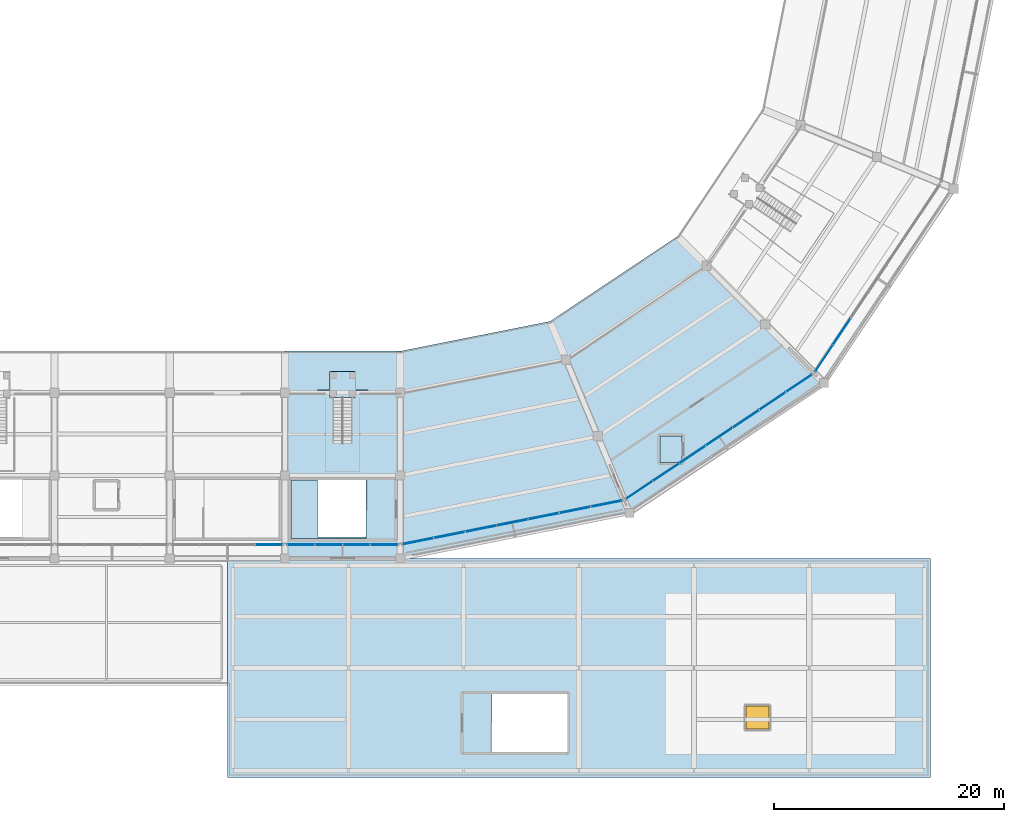
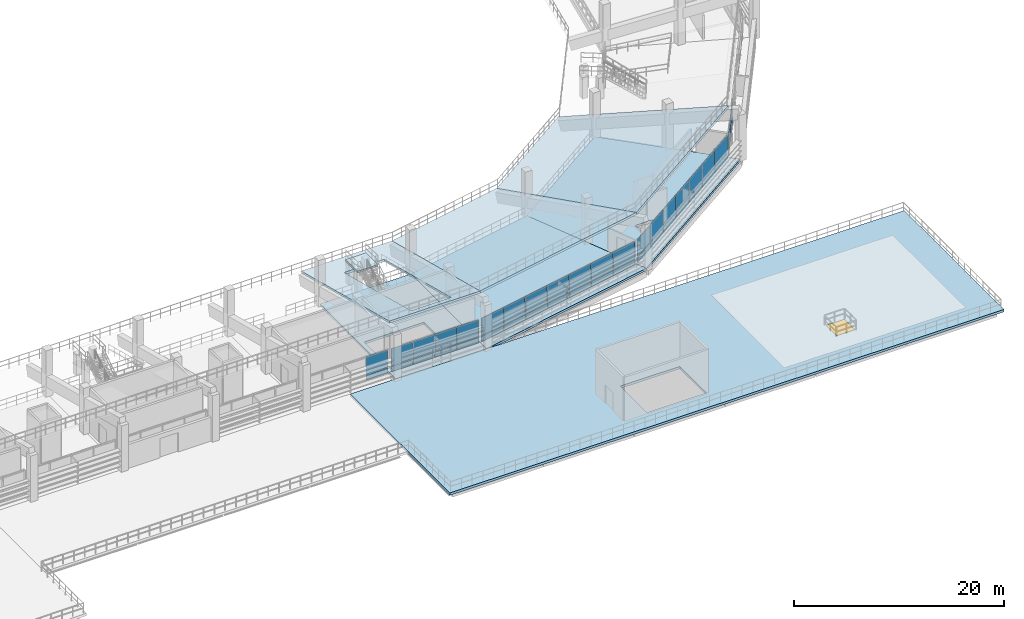
# One storey, part 53 of 96: 42 plates, 8 slabs, 1 window, 1 opening, 6 elements without a shape of their own.
"""IFC4 building model written with IfcOpenShell, lengths in metres."""

from ifc_helpers import new_model, si_unit, direction, frame, origin, origin_2d, place, context, subcontext, project, spatial, polyline, rectangle, outline, extrude, material, layer, layer_set, type_object, element, fill, aggregate, save


model = new_model("IFC4")

# Units and contexts
model_context = context("Model", 3, precision=1e-05, world=origin(), true_north=direction((0.0, 1.0)))
body_context = subcontext(model_context, "Body", "Model", "MODEL_VIEW")
ifc_project = project(units=[si_unit("LENGTHUNIT", "METRE"), si_unit("AREAUNIT", "SQUARE_METRE"), si_unit("VOLUMEUNIT", "CUBIC_METRE"), si_unit("PLANEANGLEUNIT", "RADIAN"), si_unit("MASSUNIT", "GRAM", prefix="KILO")], contexts=[model_context])

# Site, building, storey
site_placement = place(None, origin())
site = spatial("IfcSite", under=ifc_project, at=site_placement, CompositionType="ELEMENT")
building_placement = place(site_placement, origin())
building = spatial("IfcBuilding", under=site, at=building_placement, Name="Candeia Ridge Stadium", CompositionType="ELEMENT")
storey_placement = place(building_placement, frame((0.0, 0.0, 21.60009765625)))
storey = spatial("IfcBuildingStorey", under=building, at=storey_placement, Name="L04", CompositionType="ELEMENT", Elevation=21.60009765625)

# Slabs
ifc_material_1 = material(Name="Concrete C40/50", Category="concrete")
ifc_layer_1 = layer(ifc_material_1, 0.260009765625, Name="Concrete C40/50", Category="concrete")
ifc_layer_set_1 = layer_set([ifc_layer_1], Name="Concrete C40/50")
slab_type_1 = type_object("IfcSlabType", Name="Concourse Structural Slab 260", PredefinedType="FLOOR", material=ifc_layer_set_1)
slab_1_placement = place(storey_placement, frame((0.0, 0.0, -0.260009765625)))
element("IfcSlab", 1, at=slab_1_placement, inside=storey, type_object=slab_type_1, Name="Bowl concourse sector slab L04 bay 25 SLB-L04-0169", PredefinedType="FLOOR", context=body_context, shape_type="SweptSolid", body=[
    extrude(outline(polyline([(141.0, 33.39990234375), (141.0, 19.0), (131.0, 19.0), (131.0, 33.39990234375), (141.0, 33.39990234375)]), holes=[polyline([(138.04931640625, 25.800048828125), (131.5, 25.800048828125), (131.5, 20.75), (138.04931640625, 20.75), (138.04931640625, 25.800048828125)])]), origin(), (0.0, 0.0, 1.0), 0.260009765625),
])
slab_2_placement = place(storey_placement, frame((0.0, 0.0, -0.260009765625)))
element("IfcSlab", 2, at=slab_2_placement, inside=storey, type_object=slab_type_1, Name="Bowl concourse sector slab L04 bay 26 SLB-L04-0170", PredefinedType="FLOOR", context=body_context, shape_type="SweptSolid", body=[
    extrude(outline(polyline([(155.388916015625, 36.26220703125), (160.8994140625, 22.958251953125), (141.0, 19.0), (141.0, 33.39990234375), (155.388916015625, 36.26220703125)])), origin(), (0.0, 0.0, 1.0), 0.260009765625),
])
slab_3_placement = place(storey_placement, frame((0.0, 0.0, -0.260009765625)))
element("IfcSlab", 3, at=slab_3_placement, inside=storey, type_object=slab_type_1, Name="Bowl concourse sector slab L04 bay 27 SLB-L04-0171", PredefinedType="FLOOR", context=body_context, shape_type="SweptSolid", body=[
    extrude(outline(polyline([(167.553955078125, 44.390625), (177.736328125, 34.208251953125), (160.8994140625, 22.958251953125), (155.388916015625, 36.26220703125), (167.553955078125, 44.390625)]), holes=[polyline([(165.449951171875, 29.64990234375), (163.550048828125, 29.64990234375), (163.550048828125, 27.35009765625), (165.449951171875, 27.35009765625), (165.449951171875, 29.64990234375)])]), origin(), (0.0, 0.0, 1.0), 0.260009765625),
])

# Stair, slab
ifc_material_2 = material(Name="Precast concrete C45/55", Category="concrete")
stair_type = type_object("IfcStairType", Name="Spectator Vomitory Straight Stair 2200", PredefinedType="STRAIGHT_RUN_STAIR", material=ifc_material_2)
stair_placement = place(storey_placement, origin())
stair = element("IfcStair", 4, at=stair_placement, inside=storey, type_object=stair_type, Name="Vomitory stair VS33", PredefinedType="STRAIGHT_RUN_STAIR")
ifc_layer_2 = layer(ifc_material_1, 0.199951171875, Name="Concrete C40/50", Category="concrete")
ifc_layer_set_2 = layer_set([ifc_layer_2], Name="Concrete C40/50")
slab_type_2 = type_object("IfcSlabType", Name="Core Stair Landing Slab 200", PredefinedType="LANDING", material=ifc_layer_set_2)
slab_4_placement = place(storey_placement, frame((0.0, 0.0, 2.493896484375)))
slab_4 = element("IfcSlab", 5, at=slab_4_placement, type_object=slab_type_2, Name="VS33 landing 1", PredefinedType="LANDING", context=body_context, shape_type="SweptSolid", body=[
    extrude(outline(polyline([(134.8798828125, 32.967529296875), (134.8798828125, 35.218017578125), (137.1201171875, 35.218017578125), (137.1201171875, 32.967529296875), (134.8798828125, 32.967529296875)])), origin(), (0.0, 0.0, 1.0), 0.199951171875),
])
aggregate(stair, [slab_4])

# Curtain wall, plates
ifc_material_3 = material(Name="Aluminium Anodized Warm Bronze", Category="aluminium")
curtain_wall_type = type_object("IfcCurtainWallType", Name="Concourse Recessed Unitised Curtain Wall", PredefinedType="NOTDEFINED", material=ifc_material_3)
curtain_wall_1_placement = place(storey_placement, origin())
curtain_wall_1 = element("IfcCurtainWall", 6, at=curtain_wall_1_placement, inside=storey, type_object=curtain_wall_type, Name="Unitised curtain wall CW-BWL-L04-24", PredefinedType="NOTDEFINED")
ifc_material_4 = material(Name="Aluminium Insulated Spandrel", Category="aluminium")
ifc_layer_3 = layer(ifc_material_4, 0.06494140625, Name="Aluminium Insulated Spandrel", Category="aluminium")
ifc_layer_set_3 = layer_set([ifc_layer_3], Name="Aluminium Insulated Spandrel")
plate_type_1 = type_object("IfcPlateType", Name="Insulated Bronze Spandrel Panel SP1", PredefinedType="CURTAIN_PANEL", material=ifc_layer_set_3)
plate_1_placement = place(storey_placement, frame((132.385009765625, 20.199951171875, 0.0400390625), z_axis=(0.0, 0.0, 1.0), x_axis=(1.0, 0.0, 0.0)))
plate_1 = element("IfcPlate", 7, at=plate_1_placement, type_object=plate_type_1, Name="Curtain wall spandrel panel CW-BWL-L04-24-SP0", PredefinedType="CURTAIN_PANEL", context=body_context, shape_type="SweptSolid", body=[
    extrude(rectangle(XDim=2.340087890625, YDim=0.06494140625, at=origin_2d()), origin(), (0.0, 0.0, 1.0), 0.613037109375),
])
plate_2_placement = place(storey_placement, frame((134.794921875, 20.199951171875, 0.0400390625), z_axis=(0.0, 0.0, 1.0), x_axis=(1.0, 0.0, 0.0)))
plate_2 = element("IfcPlate", 8, at=plate_2_placement, type_object=plate_type_1, Name="Curtain wall spandrel panel CW-BWL-L04-24-SP1", PredefinedType="CURTAIN_PANEL", context=body_context, shape_type="SweptSolid", body=[
    extrude(rectangle(XDim=2.340087890625, YDim=0.06494140625, at=origin_2d()), origin(), (0.0, 0.0, 1.0), 0.613037109375),
])
plate_3_placement = place(storey_placement, frame((137.205078125, 20.199951171875, 0.0400390625), z_axis=(0.0, 0.0, 1.0), x_axis=(1.0, 0.0, 0.0)))
plate_3 = element("IfcPlate", 9, at=plate_3_placement, type_object=plate_type_1, Name="Curtain wall spandrel panel CW-BWL-L04-24-SP2", PredefinedType="CURTAIN_PANEL", context=body_context, shape_type="SweptSolid", body=[
    extrude(rectangle(XDim=2.340087890625, YDim=0.06494140625, at=origin_2d()), origin(), (0.0, 0.0, 1.0), 0.613037109375),
])
plate_4_placement = place(storey_placement, frame((139.614990234375, 20.199951171875, 0.0400390625), z_axis=(0.0, 0.0, 1.0), x_axis=(1.0, 0.0, 0.0)))
plate_4 = element("IfcPlate", 10, at=plate_4_placement, type_object=plate_type_1, Name="Curtain wall spandrel panel CW-BWL-L04-24-SP3", PredefinedType="CURTAIN_PANEL", context=body_context, shape_type="SweptSolid", body=[
    extrude(rectangle(XDim=2.340087890625, YDim=0.06494140625, at=origin_2d()), origin(), (0.0, 0.0, 1.0), 0.613037109375),
])

curtain_wall_2_placement = place(storey_placement, origin())
curtain_wall_2 = element("IfcCurtainWall", 11, at=curtain_wall_2_placement, inside=storey, type_object=curtain_wall_type, Name="Unitised curtain wall CW-BWL-L04-25", PredefinedType="NOTDEFINED")
ifc_layer_4 = layer(ifc_material_4, 0.06494140625, Name="Aluminium Insulated Spandrel", Category="aluminium")
ifc_layer_set_4 = layer_set([ifc_layer_4], Name="Aluminium Insulated Spandrel")
plate_type_2 = type_object("IfcPlateType", Name="Insulated Bronze Spandrel Panel SP2", PredefinedType="CURTAIN_PANEL", material=ifc_layer_set_4)
plate_5_placement = place(storey_placement, frame((142.539794921875, 20.50634765625, 0.0400390625), z_axis=(0.0, 0.0, 1.0), x_axis=(0.980785280696, 0.195090320544, 0.0)))
plate_5 = element("IfcPlate", 12, at=plate_5_placement, type_object=plate_type_2, Name="Curtain wall spandrel panel CW-BWL-L04-25-SP0", PredefinedType="CURTAIN_PANEL", context=body_context, shape_type="SweptSolid", body=[
    extrude(rectangle(XDim=2.710205078125, YDim=0.06494140625, at=origin_2d()), origin(), (0.0, 0.0, 1.0), 0.613037109375),
])
plate_6_placement = place(storey_placement, frame((145.2666015625, 21.048583984375, 0.0400390625), z_axis=(0.0, 0.0, 1.0), x_axis=(0.980785280696, 0.195090320544, 0.0)))
plate_6 = element("IfcPlate", 13, at=plate_6_placement, type_object=plate_type_2, Name="Curtain wall spandrel panel CW-BWL-L04-25-SP1", PredefinedType="CURTAIN_PANEL", context=body_context, shape_type="SweptSolid", body=[
    extrude(rectangle(XDim=2.710205078125, YDim=0.06494140625, at=origin_2d()), origin(), (0.0, 0.0, 1.0), 0.613037109375),
])
plate_7_placement = place(storey_placement, frame((147.993408203125, 21.591064453125, 0.0400390625), z_axis=(0.0, 0.0, 1.0), x_axis=(0.980785280696, 0.195090320544, 0.0)))
plate_7 = element("IfcPlate", 14, at=plate_7_placement, type_object=plate_type_2, Name="Curtain wall spandrel panel CW-BWL-L04-25-SP2", PredefinedType="CURTAIN_PANEL", context=body_context, shape_type="SweptSolid", body=[
    extrude(rectangle(XDim=2.710205078125, YDim=0.06494140625, at=origin_2d()), origin(), (0.0, 0.0, 1.0), 0.613037109375),
])
plate_8_placement = place(storey_placement, frame((150.72021484375, 22.13330078125, 0.0400390625), z_axis=(0.0, 0.0, 1.0), x_axis=(0.980785280696, 0.195090320544, 0.0)))
plate_8 = element("IfcPlate", 15, at=plate_8_placement, type_object=plate_type_2, Name="Curtain wall spandrel panel CW-BWL-L04-25-SP3", PredefinedType="CURTAIN_PANEL", context=body_context, shape_type="SweptSolid", body=[
    extrude(rectangle(XDim=2.710205078125, YDim=0.06494140625, at=origin_2d()), origin(), (0.0, 0.0, 1.0), 0.613037109375),
])
plate_9_placement = place(storey_placement, frame((153.447021484375, 22.67578125, 0.0400390625), z_axis=(0.0, 0.0, 1.0), x_axis=(0.980785280696, 0.195090320544, 0.0)))
plate_9 = element("IfcPlate", 16, at=plate_9_placement, type_object=plate_type_2, Name="Curtain wall spandrel panel CW-BWL-L04-25-SP4", PredefinedType="CURTAIN_PANEL", context=body_context, shape_type="SweptSolid", body=[
    extrude(rectangle(XDim=2.710205078125, YDim=0.06494140625, at=origin_2d()), origin(), (0.0, 0.0, 1.0), 0.613037109375),
])
plate_10_placement = place(storey_placement, frame((156.173583984375, 23.21826171875, 0.0400390625), z_axis=(0.0, 0.0, 1.0), x_axis=(0.980785280696, 0.195090320544, 0.0)))
plate_10 = element("IfcPlate", 17, at=plate_10_placement, type_object=plate_type_2, Name="Curtain wall spandrel panel CW-BWL-L04-25-SP5", PredefinedType="CURTAIN_PANEL", context=body_context, shape_type="SweptSolid", body=[
    extrude(rectangle(XDim=2.710205078125, YDim=0.06494140625, at=origin_2d()), origin(), (0.0, 0.0, 1.0), 0.613037109375),
])
plate_11_placement = place(storey_placement, frame((158.900390625, 23.760498046875, 0.0400390625), z_axis=(0.0, 0.0, 1.0), x_axis=(0.980785280696, 0.195090320544, 0.0)))
plate_11 = element("IfcPlate", 18, at=plate_11_placement, type_object=plate_type_2, Name="Curtain wall spandrel panel CW-BWL-L04-25-SP6", PredefinedType="CURTAIN_PANEL", context=body_context, shape_type="SweptSolid", body=[
    extrude(rectangle(XDim=2.710205078125, YDim=0.06494140625, at=origin_2d()), origin(), (0.0, 0.0, 1.0), 0.613037109375),
])

curtain_wall_3_placement = place(storey_placement, origin())
curtain_wall_3 = element("IfcCurtainWall", 19, at=curtain_wall_3_placement, inside=storey, type_object=curtain_wall_type, Name="Unitised curtain wall CW-BWL-L04-26", PredefinedType="NOTDEFINED")
ifc_layer_5 = layer(ifc_material_4, 0.06494140625, Name="Aluminium Insulated Spandrel", Category="aluminium")
ifc_layer_set_5 = layer_set([ifc_layer_5], Name="Aluminium Insulated Spandrel")
plate_type_3 = type_object("IfcPlateType", Name="Insulated Bronze Spandrel Panel SP4", PredefinedType="CURTAIN_PANEL", material=ifc_layer_set_5)
plate_12_placement = place(storey_placement, frame((161.745849609375, 24.939208984375, 0.0400390625), z_axis=(0.0, 0.0, 1.0), x_axis=(0.831468800789, 0.555571447533, 0.0)))
plate_12 = element("IfcPlate", 20, at=plate_12_placement, type_object=plate_type_3, Name="Curtain wall spandrel panel CW-BWL-L04-26-SP0", PredefinedType="CURTAIN_PANEL", context=body_context, shape_type="SweptSolid", body=[
    extrude(rectangle(XDim=2.710205078125, YDim=0.06494140625, at=origin_2d()), origin(), (0.0, 0.0, 1.0), 0.613037109375),
])
plate_13_placement = place(storey_placement, frame((164.057373046875, 26.48388671875, 0.0400390625), z_axis=(0.0, 0.0, 1.0), x_axis=(0.831468800789, 0.555571447533, 0.0)))
plate_13 = element("IfcPlate", 21, at=plate_13_placement, type_object=plate_type_3, Name="Curtain wall spandrel panel CW-BWL-L04-26-SP1", PredefinedType="CURTAIN_PANEL", context=body_context, shape_type="SweptSolid", body=[
    extrude(rectangle(XDim=2.710205078125, YDim=0.06494140625, at=origin_2d()), origin(), (0.0, 0.0, 1.0), 0.613037109375),
])
plate_14_placement = place(storey_placement, frame((166.369140625, 28.0283203125, 0.0400390625), z_axis=(0.0, 0.0, 1.0), x_axis=(0.831468800789, 0.555571447533, 0.0)))
plate_14 = element("IfcPlate", 22, at=plate_14_placement, type_object=plate_type_3, Name="Curtain wall spandrel panel CW-BWL-L04-26-SP2", PredefinedType="CURTAIN_PANEL", context=body_context, shape_type="SweptSolid", body=[
    extrude(rectangle(XDim=2.710205078125, YDim=0.06494140625, at=origin_2d()), origin(), (0.0, 0.0, 1.0), 0.613037109375),
])
plate_15_placement = place(storey_placement, frame((168.6806640625, 29.572998046875, 0.0400390625), z_axis=(0.0, 0.0, 1.0), x_axis=(0.831468800789, 0.555571447533, 0.0)))
plate_15 = element("IfcPlate", 23, at=plate_15_placement, type_object=plate_type_3, Name="Curtain wall spandrel panel CW-BWL-L04-26-SP3", PredefinedType="CURTAIN_PANEL", context=body_context, shape_type="SweptSolid", body=[
    extrude(rectangle(XDim=2.710205078125, YDim=0.06494140625, at=origin_2d()), origin(), (0.0, 0.0, 1.0), 0.613037109375),
])
plate_16_placement = place(storey_placement, frame((170.9921875, 31.117431640625, 0.0400390625), z_axis=(0.0, 0.0, 1.0), x_axis=(0.831468800789, 0.555571447533, 0.0)))
plate_16 = element("IfcPlate", 24, at=plate_16_placement, type_object=plate_type_3, Name="Curtain wall spandrel panel CW-BWL-L04-26-SP4", PredefinedType="CURTAIN_PANEL", context=body_context, shape_type="SweptSolid", body=[
    extrude(rectangle(XDim=2.710205078125, YDim=0.06494140625, at=origin_2d()), origin(), (0.0, 0.0, 1.0), 0.613037109375),
])
plate_17_placement = place(storey_placement, frame((173.303955078125, 32.662109375, 0.0400390625), z_axis=(0.0, 0.0, 1.0), x_axis=(0.831468800789, 0.555571447533, 0.0)))
plate_17 = element("IfcPlate", 25, at=plate_17_placement, type_object=plate_type_3, Name="Curtain wall spandrel panel CW-BWL-L04-26-SP5", PredefinedType="CURTAIN_PANEL", context=body_context, shape_type="SweptSolid", body=[
    extrude(rectangle(XDim=2.710205078125, YDim=0.06494140625, at=origin_2d()), origin(), (0.0, 0.0, 1.0), 0.613037109375),
])
plate_18_placement = place(storey_placement, frame((175.615478515625, 34.206787109375, 0.0400390625), z_axis=(0.0, 0.0, 1.0), x_axis=(0.831468800789, 0.555571447533, 0.0)))
plate_18 = element("IfcPlate", 26, at=plate_18_placement, type_object=plate_type_3, Name="Curtain wall spandrel panel CW-BWL-L04-26-SP6", PredefinedType="CURTAIN_PANEL", context=body_context, shape_type="SweptSolid", body=[
    extrude(rectangle(XDim=2.710205078125, YDim=0.06494140625, at=origin_2d()), origin(), (0.0, 0.0, 1.0), 0.613037109375),
])

# Curtain wall, plate
curtain_wall_4_placement = place(storey_placement, origin())
curtain_wall_4 = element("IfcCurtainWall", 27, at=curtain_wall_4_placement, inside=storey, type_object=curtain_wall_type, Name="Unitised curtain wall CW-BWL-L04-23", PredefinedType="NOTDEFINED")
ifc_layer_6 = layer(ifc_material_4, 0.06494140625, Name="Aluminium Insulated Spandrel", Category="aluminium")
ifc_layer_set_6 = layer_set([ifc_layer_6], Name="Aluminium Insulated Spandrel")
plate_type_4 = type_object("IfcPlateType", Name="Insulated Bronze Spandrel Panel SP5", PredefinedType="CURTAIN_PANEL", material=ifc_layer_set_6)
plate_19_placement = place(storey_placement, frame((129.614990234375, 20.199951171875, 0.0400390625), z_axis=(0.0, 0.0, 1.0), x_axis=(1.0, 0.0, 0.0)))
plate_19 = element("IfcPlate", 28, at=plate_19_placement, type_object=plate_type_4, Name="Curtain wall spandrel panel CW-BWL-L04-23-SP3", PredefinedType="CURTAIN_PANEL", context=body_context, shape_type="SweptSolid", body=[
    extrude(rectangle(XDim=2.340087890625, YDim=0.06494140625, at=origin_2d()), origin(), (0.0, 0.0, 1.0), 0.613037109375),
])

# Curtain wall, plates
curtain_wall_5_placement = place(storey_placement, origin())
curtain_wall_5 = element("IfcCurtainWall", 29, at=curtain_wall_5_placement, inside=storey, type_object=curtain_wall_type, Name="Unitised curtain wall CW-BWL-L04-27", PredefinedType="NOTDEFINED")
plate_20_placement = place(storey_placement, frame((177.793212890625, 36.384521484375, 0.0400390625), z_axis=(0.0, 0.0, 1.0), x_axis=(0.555571447533, 0.831468800789, 0.0)))
plate_20 = element("IfcPlate", 30, at=plate_20_placement, type_object=plate_type_4, Name="Curtain wall spandrel panel CW-BWL-L04-27-SP0", PredefinedType="CURTAIN_PANEL", context=body_context, shape_type="SweptSolid", body=[
    extrude(rectangle(XDim=2.710205078125, YDim=0.06494140625, at=origin_2d()), origin(), (0.0, 0.0, 1.0), 0.613037109375),
])
plate_21_placement = place(storey_placement, frame((179.337890625, 38.696044921875, 0.0400390625), z_axis=(0.0, 0.0, 1.0), x_axis=(0.555571447533, 0.831468800789, 0.0)))
plate_21 = element("IfcPlate", 31, at=plate_21_placement, type_object=plate_type_4, Name="Curtain wall spandrel panel CW-BWL-L04-27-SP1", PredefinedType="CURTAIN_PANEL", context=body_context, shape_type="SweptSolid", body=[
    extrude(rectangle(XDim=2.710205078125, YDim=0.06494140625, at=origin_2d()), origin(), (0.0, 0.0, 1.0), 0.613037109375),
])

# Slab, opening, window
ifc_layer_7 = layer(ifc_material_1, 0.280029296875, Name="Concrete C40/50", Category="concrete")
ifc_layer_set_7 = layer_set([ifc_layer_7], Name="Concrete C40/50")
slab_type_3 = type_object("IfcSlabType", Name="Planted Roof Garden Deck 280", PredefinedType="ROOF", material=ifc_layer_set_7)
slab_5_placement = place(storey_placement, frame((0.0, 0.0, -0.280029296875)))
slab_5 = element("IfcSlab", 32, at=slab_5_placement, inside=storey, type_object=slab_type_3, Name="Planted roof garden slab SLB-L04-0304", PredefinedType="ROOF", context=body_context, shape_type="SweptSolid", body=[
    extrude(outline(polyline([(126.0, 0.0), (126.0, 19.0), (187.0, 19.0), (187.0, 0.0), (126.0, 0.0)]), holes=[polyline([(148.95068359375, 2.199951171875), (155.5, 2.199951171875), (155.5, 7.25), (148.95068359375, 7.25), (148.95068359375, 2.199951171875)])]), origin(), (0.0, 0.0, 1.0), 0.280029296875),
])
opening_placement = place(slab_5_placement, frame((172.0, 5.199951171875, -0.010009765625)))
opening = element("IfcOpeningElement", 33, at=opening_placement, cuts=slab_5, Name="Opening SK2", PredefinedType="OPENING", context=body_context, shape_type="SweptSolid", body=[
    extrude(rectangle(XDim=2.0, YDim=2.0, at=origin_2d()), origin(), (0.0, 0.0, 1.0), 0.300048828125),
])
ifc_material_5 = material(Name="Tempered Solar-Control Double Glazing", Category="glass")
window_type = type_object("IfcWindowType", Name="Museum Gallery Roof Skylight 2000x2000", PartitioningType="SINGLE_PANEL", PredefinedType="SKYLIGHT", material=ifc_material_5)
window_placement = place(slab_5_placement, frame((172.0, 5.199951171875, 0.22998046875)))
window = element("IfcWindow", 34, at=window_placement, inside=storey, type_object=window_type, Name="Roof daylight skylight SKY-06", OverallHeight=2.0, OverallWidth=2.0, PartitioningType="SINGLE_PANEL", PredefinedType="SKYLIGHT", context=body_context, shape_type="SweptSolid", body=[
    extrude(rectangle(XDim=2.0, YDim=2.0, at=origin_2d()), origin(), (0.0, 0.0, 1.0), 0.050048828125),
])
fill(opening, window)

# Plate
ifc_material_6 = material(Name="Tempered Low-E Double Glazing", Category="glass")
ifc_layer_8 = layer(ifc_material_6, 0.035888671875, Name="Tempered Low-E Double Glazing", Category="glass")
ifc_layer_set_8 = layer_set([ifc_layer_8], Name="Tempered Low-E Double Glazing")
plate_type_5 = type_object("IfcPlateType", Name="Solar Control Vision Glass Panel GP1", PredefinedType="CURTAIN_PANEL", material=ifc_layer_set_8)
plate_22_placement = place(storey_placement, frame((161.745849609375, 24.939208984375, 0.733154296875), z_axis=(0.0, 0.0, 1.0), x_axis=(0.831468800789, 0.555571447533, 0.0)))
plate_22 = element("IfcPlate", 35, at=plate_22_placement, type_object=plate_type_5, Name="Curtain wall vision glass panel CW-BWL-L04-26-GP0", PredefinedType="CURTAIN_PANEL", context=body_context, shape_type="SweptSolid", body=[
    extrude(rectangle(XDim=2.710205078125, YDim=0.035888671875, at=origin_2d()), origin(), (0.0, 0.0, 1.0), 1.9990234375),
])

plate_23_placement = place(storey_placement, frame((164.057373046875, 26.48388671875, 0.733154296875), z_axis=(0.0, 0.0, 1.0), x_axis=(0.831468800789, 0.555571447533, 0.0)))
plate_23 = element("IfcPlate", 36, at=plate_23_placement, type_object=plate_type_5, Name="Curtain wall vision glass panel CW-BWL-L04-26-GP1", PredefinedType="CURTAIN_PANEL", context=body_context, shape_type="SweptSolid", body=[
    extrude(rectangle(XDim=2.710205078125, YDim=0.035888671875, at=origin_2d()), origin(), (0.0, 0.0, 1.0), 1.9990234375),
])

plate_24_placement = place(storey_placement, frame((166.369140625, 28.0283203125, 0.733154296875), z_axis=(0.0, 0.0, 1.0), x_axis=(0.831468800789, 0.555571447533, 0.0)))
plate_24 = element("IfcPlate", 37, at=plate_24_placement, type_object=plate_type_5, Name="Curtain wall vision glass panel CW-BWL-L04-26-GP2", PredefinedType="CURTAIN_PANEL", context=body_context, shape_type="SweptSolid", body=[
    extrude(rectangle(XDim=2.710205078125, YDim=0.035888671875, at=origin_2d()), origin(), (0.0, 0.0, 1.0), 1.9990234375),
])

plate_25_placement = place(storey_placement, frame((168.6806640625, 29.572998046875, 0.733154296875), z_axis=(0.0, 0.0, 1.0), x_axis=(0.831468800789, 0.555571447533, 0.0)))
plate_25 = element("IfcPlate", 38, at=plate_25_placement, type_object=plate_type_5, Name="Curtain wall vision glass panel CW-BWL-L04-26-GP3", PredefinedType="CURTAIN_PANEL", context=body_context, shape_type="SweptSolid", body=[
    extrude(rectangle(XDim=2.710205078125, YDim=0.035888671875, at=origin_2d()), origin(), (0.0, 0.0, 1.0), 1.9990234375),
])

plate_26_placement = place(storey_placement, frame((170.9921875, 31.117431640625, 0.733154296875), z_axis=(0.0, 0.0, 1.0), x_axis=(0.831468800789, 0.555571447533, 0.0)))
plate_26 = element("IfcPlate", 39, at=plate_26_placement, type_object=plate_type_5, Name="Curtain wall vision glass panel CW-BWL-L04-26-GP4", PredefinedType="CURTAIN_PANEL", context=body_context, shape_type="SweptSolid", body=[
    extrude(rectangle(XDim=2.710205078125, YDim=0.035888671875, at=origin_2d()), origin(), (0.0, 0.0, 1.0), 1.9990234375),
])

plate_27_placement = place(storey_placement, frame((173.303955078125, 32.662109375, 0.733154296875), z_axis=(0.0, 0.0, 1.0), x_axis=(0.831468800789, 0.555571447533, 0.0)))
plate_27 = element("IfcPlate", 40, at=plate_27_placement, type_object=plate_type_5, Name="Curtain wall vision glass panel CW-BWL-L04-26-GP5", PredefinedType="CURTAIN_PANEL", context=body_context, shape_type="SweptSolid", body=[
    extrude(rectangle(XDim=2.710205078125, YDim=0.035888671875, at=origin_2d()), origin(), (0.0, 0.0, 1.0), 1.9990234375),
])

plate_28_placement = place(storey_placement, frame((175.615478515625, 34.206787109375, 0.733154296875), z_axis=(0.0, 0.0, 1.0), x_axis=(0.831468800789, 0.555571447533, 0.0)))
plate_28 = element("IfcPlate", 41, at=plate_28_placement, type_object=plate_type_5, Name="Curtain wall vision glass panel CW-BWL-L04-26-GP6", PredefinedType="CURTAIN_PANEL", context=body_context, shape_type="SweptSolid", body=[
    extrude(rectangle(XDim=2.710205078125, YDim=0.035888671875, at=origin_2d()), origin(), (0.0, 0.0, 1.0), 1.9990234375),
])

aggregate(curtain_wall_3, [plate_12, plate_22, plate_13, plate_23, plate_14, plate_24, plate_15, plate_25, plate_16, plate_26, plate_17, plate_27, plate_18, plate_28])

ifc_layer_9 = layer(ifc_material_6, 0.035888671875, Name="Tempered Low-E Double Glazing", Category="glass")
ifc_layer_set_9 = layer_set([ifc_layer_9], Name="Tempered Low-E Double Glazing")
plate_type_6 = type_object("IfcPlateType", Name="Solar Control Vision Glass Panel GP2", PredefinedType="CURTAIN_PANEL", material=ifc_layer_set_9)
plate_29_placement = place(storey_placement, frame((177.793212890625, 36.384521484375, 0.733154296875), z_axis=(0.0, 0.0, 1.0), x_axis=(0.555571447533, 0.831468800789, 0.0)))
plate_29 = element("IfcPlate", 42, at=plate_29_placement, type_object=plate_type_6, Name="Curtain wall vision glass panel CW-BWL-L04-27-GP0", PredefinedType="CURTAIN_PANEL", context=body_context, shape_type="SweptSolid", body=[
    extrude(rectangle(XDim=2.710205078125, YDim=0.035888671875, at=origin_2d()), origin(), (0.0, 0.0, 1.0), 1.9990234375),
])

plate_30_placement = place(storey_placement, frame((179.337890625, 38.696044921875, 0.733154296875), z_axis=(0.0, 0.0, 1.0), x_axis=(0.555571447533, 0.831468800789, 0.0)))
plate_30 = element("IfcPlate", 43, at=plate_30_placement, type_object=plate_type_6, Name="Curtain wall vision glass panel CW-BWL-L04-27-GP1", PredefinedType="CURTAIN_PANEL", context=body_context, shape_type="SweptSolid", body=[
    extrude(rectangle(XDim=2.710205078125, YDim=0.035888671875, at=origin_2d()), origin(), (0.0, 0.0, 1.0), 1.9990234375),
])

aggregate(curtain_wall_5, [plate_20, plate_29, plate_21, plate_30])

ifc_layer_10 = layer(ifc_material_6, 0.035888671875, Name="Tempered Low-E Double Glazing", Category="glass")
ifc_layer_set_10 = layer_set([ifc_layer_10], Name="Tempered Low-E Double Glazing")
plate_type_7 = type_object("IfcPlateType", Name="Solar Control Vision Glass Panel GP6", PredefinedType="CURTAIN_PANEL", material=ifc_layer_set_10)
plate_31_placement = place(storey_placement, frame((129.614990234375, 20.199951171875, 0.733154296875), z_axis=(0.0, 0.0, 1.0), x_axis=(1.0, 0.0, 0.0)))
plate_31 = element("IfcPlate", 44, at=plate_31_placement, type_object=plate_type_7, Name="Curtain wall vision glass panel CW-BWL-L04-23-GP3", PredefinedType="CURTAIN_PANEL", context=body_context, shape_type="SweptSolid", body=[
    extrude(rectangle(XDim=2.340087890625, YDim=0.035888671875, at=origin_2d()), origin(), (0.0, 0.0, 1.0), 1.9990234375),
])

aggregate(curtain_wall_4, [plate_19, plate_31])

ifc_layer_11 = layer(ifc_material_6, 0.035888671875, Name="Tempered Low-E Double Glazing", Category="glass")
ifc_layer_set_11 = layer_set([ifc_layer_11], Name="Tempered Low-E Double Glazing")
plate_type_8 = type_object("IfcPlateType", Name="Solar Control Vision Glass Panel GP7", PredefinedType="CURTAIN_PANEL", material=ifc_layer_set_11)
plate_32_placement = place(storey_placement, frame((132.385009765625, 20.199951171875, 0.733154296875), z_axis=(0.0, 0.0, 1.0), x_axis=(1.0, 0.0, 0.0)))
plate_32 = element("IfcPlate", 45, at=plate_32_placement, type_object=plate_type_8, Name="Curtain wall vision glass panel CW-BWL-L04-24-GP0", PredefinedType="CURTAIN_PANEL", context=body_context, shape_type="SweptSolid", body=[
    extrude(rectangle(XDim=2.340087890625, YDim=0.035888671875, at=origin_2d()), origin(), (0.0, 0.0, 1.0), 1.9990234375),
])

plate_33_placement = place(storey_placement, frame((134.794921875, 20.199951171875, 0.733154296875), z_axis=(0.0, 0.0, 1.0), x_axis=(1.0, 0.0, 0.0)))
plate_33 = element("IfcPlate", 46, at=plate_33_placement, type_object=plate_type_8, Name="Curtain wall vision glass panel CW-BWL-L04-24-GP1", PredefinedType="CURTAIN_PANEL", context=body_context, shape_type="SweptSolid", body=[
    extrude(rectangle(XDim=2.340087890625, YDim=0.035888671875, at=origin_2d()), origin(), (0.0, 0.0, 1.0), 1.9990234375),
])

plate_34_placement = place(storey_placement, frame((137.205078125, 20.199951171875, 0.733154296875), z_axis=(0.0, 0.0, 1.0), x_axis=(1.0, 0.0, 0.0)))
plate_34 = element("IfcPlate", 47, at=plate_34_placement, type_object=plate_type_8, Name="Curtain wall vision glass panel CW-BWL-L04-24-GP2", PredefinedType="CURTAIN_PANEL", context=body_context, shape_type="SweptSolid", body=[
    extrude(rectangle(XDim=2.340087890625, YDim=0.035888671875, at=origin_2d()), origin(), (0.0, 0.0, 1.0), 1.9990234375),
])

plate_35_placement = place(storey_placement, frame((139.614990234375, 20.199951171875, 0.733154296875), z_axis=(0.0, 0.0, 1.0), x_axis=(1.0, 0.0, 0.0)))
plate_35 = element("IfcPlate", 48, at=plate_35_placement, type_object=plate_type_8, Name="Curtain wall vision glass panel CW-BWL-L04-24-GP3", PredefinedType="CURTAIN_PANEL", context=body_context, shape_type="SweptSolid", body=[
    extrude(rectangle(XDim=2.340087890625, YDim=0.035888671875, at=origin_2d()), origin(), (0.0, 0.0, 1.0), 1.9990234375),
])

aggregate(curtain_wall_1, [plate_1, plate_32, plate_2, plate_33, plate_3, plate_34, plate_4, plate_35])

ifc_layer_12 = layer(ifc_material_6, 0.035888671875, Name="Tempered Low-E Double Glazing", Category="glass")
ifc_layer_set_12 = layer_set([ifc_layer_12], Name="Tempered Low-E Double Glazing")
plate_type_9 = type_object("IfcPlateType", Name="Solar Control Vision Glass Panel GP8", PredefinedType="CURTAIN_PANEL", material=ifc_layer_set_12)
plate_36_placement = place(storey_placement, frame((142.539794921875, 20.50634765625, 0.733154296875), z_axis=(0.0, 0.0, 1.0), x_axis=(0.980785280696, 0.195090320544, 0.0)))
plate_36 = element("IfcPlate", 49, at=plate_36_placement, type_object=plate_type_9, Name="Curtain wall vision glass panel CW-BWL-L04-25-GP0", PredefinedType="CURTAIN_PANEL", context=body_context, shape_type="SweptSolid", body=[
    extrude(rectangle(XDim=2.710205078125, YDim=0.035888671875, at=origin_2d()), origin(), (0.0, 0.0, 1.0), 1.9990234375),
])

plate_37_placement = place(storey_placement, frame((145.2666015625, 21.048583984375, 0.733154296875), z_axis=(0.0, 0.0, 1.0), x_axis=(0.980785280696, 0.195090320544, 0.0)))
plate_37 = element("IfcPlate", 50, at=plate_37_placement, type_object=plate_type_9, Name="Curtain wall vision glass panel CW-BWL-L04-25-GP1", PredefinedType="CURTAIN_PANEL", context=body_context, shape_type="SweptSolid", body=[
    extrude(rectangle(XDim=2.710205078125, YDim=0.035888671875, at=origin_2d()), origin(), (0.0, 0.0, 1.0), 1.9990234375),
])

plate_38_placement = place(storey_placement, frame((147.993408203125, 21.591064453125, 0.733154296875), z_axis=(0.0, 0.0, 1.0), x_axis=(0.980785280696, 0.195090320544, 0.0)))
plate_38 = element("IfcPlate", 51, at=plate_38_placement, type_object=plate_type_9, Name="Curtain wall vision glass panel CW-BWL-L04-25-GP2", PredefinedType="CURTAIN_PANEL", context=body_context, shape_type="SweptSolid", body=[
    extrude(rectangle(XDim=2.710205078125, YDim=0.035888671875, at=origin_2d()), origin(), (0.0, 0.0, 1.0), 1.9990234375),
])

plate_39_placement = place(storey_placement, frame((150.72021484375, 22.13330078125, 0.733154296875), z_axis=(0.0, 0.0, 1.0), x_axis=(0.980785280696, 0.195090320544, 0.0)))
plate_39 = element("IfcPlate", 52, at=plate_39_placement, type_object=plate_type_9, Name="Curtain wall vision glass panel CW-BWL-L04-25-GP3", PredefinedType="CURTAIN_PANEL", context=body_context, shape_type="SweptSolid", body=[
    extrude(rectangle(XDim=2.710205078125, YDim=0.035888671875, at=origin_2d()), origin(), (0.0, 0.0, 1.0), 1.9990234375),
])

plate_40_placement = place(storey_placement, frame((153.447021484375, 22.67578125, 0.733154296875), z_axis=(0.0, 0.0, 1.0), x_axis=(0.980785280696, 0.195090320544, 0.0)))
plate_40 = element("IfcPlate", 53, at=plate_40_placement, type_object=plate_type_9, Name="Curtain wall vision glass panel CW-BWL-L04-25-GP4", PredefinedType="CURTAIN_PANEL", context=body_context, shape_type="SweptSolid", body=[
    extrude(rectangle(XDim=2.710205078125, YDim=0.035888671875, at=origin_2d()), origin(), (0.0, 0.0, 1.0), 1.9990234375),
])

plate_41_placement = place(storey_placement, frame((156.173583984375, 23.21826171875, 0.733154296875), z_axis=(0.0, 0.0, 1.0), x_axis=(0.980785280696, 0.195090320544, 0.0)))
plate_41 = element("IfcPlate", 54, at=plate_41_placement, type_object=plate_type_9, Name="Curtain wall vision glass panel CW-BWL-L04-25-GP5", PredefinedType="CURTAIN_PANEL", context=body_context, shape_type="SweptSolid", body=[
    extrude(rectangle(XDim=2.710205078125, YDim=0.035888671875, at=origin_2d()), origin(), (0.0, 0.0, 1.0), 1.9990234375),
])

plate_42_placement = place(storey_placement, frame((158.900390625, 23.760498046875, 0.733154296875), z_axis=(0.0, 0.0, 1.0), x_axis=(0.980785280696, 0.195090320544, 0.0)))
plate_42 = element("IfcPlate", 55, at=plate_42_placement, type_object=plate_type_9, Name="Curtain wall vision glass panel CW-BWL-L04-25-GP6", PredefinedType="CURTAIN_PANEL", context=body_context, shape_type="SweptSolid", body=[
    extrude(rectangle(XDim=2.710205078125, YDim=0.035888671875, at=origin_2d()), origin(), (0.0, 0.0, 1.0), 1.9990234375),
])

aggregate(curtain_wall_2, [plate_5, plate_36, plate_6, plate_37, plate_7, plate_38, plate_8, plate_39, plate_9, plate_40, plate_10, plate_41, plate_11, plate_42])

# Slabs
ifc_layer_13 = layer(ifc_material_2, 0.239990234375, Name="Precast concrete C45/55", Category="concrete")
ifc_layer_set_13 = layer_set([ifc_layer_13], Name="Precast concrete C45/55")
slab_type_4 = type_object("IfcSlabType", Name="Upper Cantilever Tier Precast 240", PredefinedType="USERDEFINED", material=ifc_layer_set_13)
slab_6_placement = place(storey_placement, frame((131.0, 37.0, 1.64990234375), z_axis=(0.0, 0.25066676964, 0.968073432441), x_axis=(1.0, 0.0, 0.0)))
element("IfcSlab", 56, at=slab_6_placement, inside=storey, type_object=slab_type_4, Name="Stand Upper Tier Stands Bay 25", ObjectType="SEATING TIER", PredefinedType="USERDEFINED", context=body_context, shape_type="SweptSolid", body=[
    extrude(outline(polyline([(0.0, 0.0), (10.0, 0.0), (10.0, -17.354105861331373), (0.0, -17.354105861331373), (0.0, 0.0)]), holes=[polyline([(2.800048828125, -3.470940189864134), (7.199951171875, -3.470940189864134), (7.199951171875, -16.65981104534905), (2.800048828125, -16.65981104534905), (2.800048828125, -3.470940189864134)])]), origin(), (0.0, 0.0, -1.0), 0.239990234375),
])
slab_7_placement = place(storey_placement, frame((141.0, 37.0, 1.64990234375), z_axis=(-0.049798786666, 0.2503576128, 0.966871835643), x_axis=(0.980787398066, 0.195079675491, 2.420734e-06)))
element("IfcSlab", 57, at=slab_7_placement, inside=storey, type_object=slab_type_4, Name="Stand Upper Tier Stands Bay 26", ObjectType="SEATING TIER", PredefinedType="USERDEFINED", context=body_context, shape_type="SweptSolid", body=[
    extrude(outline(polyline([(0.0, 0.0), (13.265856290361187, -4.440892098500626e-16), (16.54347406288541, -17.04151855011149), (-3.277337543188954, -17.04183232147286), (0.0, 0.0)])), origin(), (0.0, 0.0, -1.0), 0.239990234375),
])
slab_8_placement = place(storey_placement, frame((154.010986328125, 39.587890625, 1.64990234375), z_axis=(-0.14181603517, 0.212249411471, 0.96687041505), x_axis=(0.831488541438, 0.555541902497, 5.136556e-06)))
element("IfcSlab", 58, at=slab_8_placement, inside=storey, type_object=slab_type_4, Name="Stand Upper Tier Stands Bay 27", ObjectType="SEATING TIER", PredefinedType="USERDEFINED", context=body_context, shape_type="SweptSolid", body=[
    extrude(outline(polyline([(0.0, 0.0), (13.266563896581555, -8.881784197001252e-16), (16.54453049508134, -17.04098330454092), (-3.2769388731758253, -17.041649109583425), (0.0, 0.0)])), origin(), (0.0, 0.0, -1.0), 0.239990234375),
])

save(model, "model.ifc")
